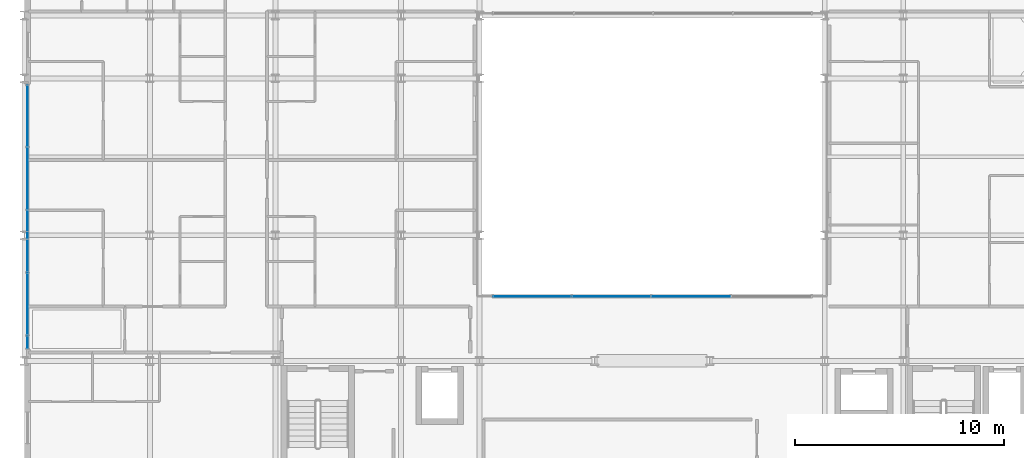
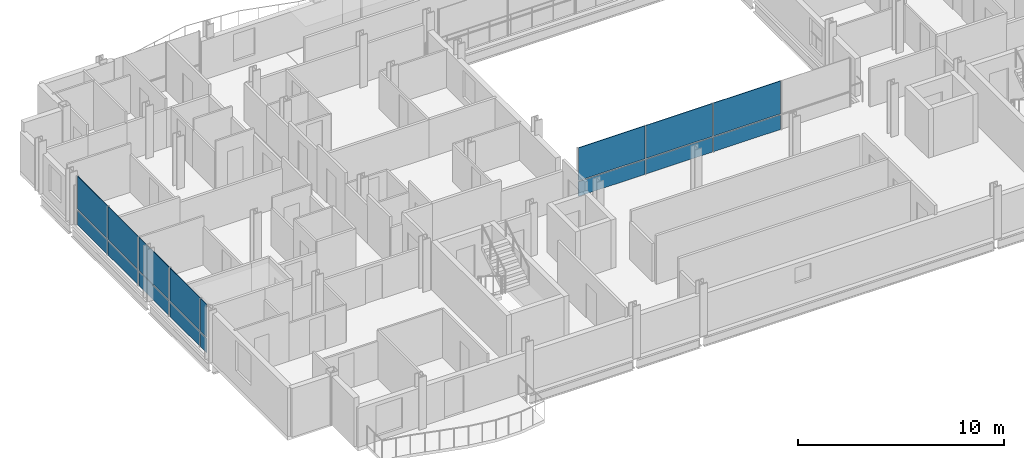
# One storey, part 26 of 41: 16 plates, 2 elements without a shape of their own.
"""IFC4 building model written with IfcOpenShell, lengths in metres."""

from ifc_helpers import new_model, si_unit, direction, frame, origin, origin_2d, place, context, subcontext, project, spatial, rectangle, extrude, material, layer, layer_set, type_object, element, aggregate, save


model = new_model("IFC4")

# Units and contexts
model_context = context("Model", 3, precision=1e-05, world=origin(), true_north=direction((0.0, 1.0)))
body_context = subcontext(model_context, "Body", "Model", "MODEL_VIEW")
ifc_project = project(units=[si_unit("LENGTHUNIT", "METRE"), si_unit("AREAUNIT", "SQUARE_METRE"), si_unit("VOLUMEUNIT", "CUBIC_METRE"), si_unit("PLANEANGLEUNIT", "RADIAN"), si_unit("MASSUNIT", "GRAM", prefix="KILO")], contexts=[model_context])

# Site, building, storey
site_placement = place(None, origin())
site = spatial("IfcSite", under=ifc_project, at=site_placement, CompositionType="ELEMENT")
building_placement = place(site_placement, origin())
building = spatial("IfcBuilding", under=site, at=building_placement, Name="Brevholm Reach", CompositionType="ELEMENT")
storey_placement = place(building_placement, frame((0.0, 0.0, 112.800048828125)))
storey = spatial("IfcBuildingStorey", under=building, at=storey_placement, Name="L33", CompositionType="ELEMENT", Elevation=112.800048828125)

# Curtain wall, plates
ifc_material_1 = material(Name="Dark Anodised Aluminium 6063-T6 and Solar-Control Glass", Category="aluminium")
ifc_layer_1 = layer(ifc_material_1, 0.14990234375)
ifc_layer_set_1 = layer_set([ifc_layer_1], Name="Dark Anodised Aluminium 6063-T6 and Solar-Control Glass")
curtain_wall_type_1 = type_object("IfcCurtainWallType", Name="CW-01", PredefinedType="NOTDEFINED", material=ifc_layer_set_1)
curtain_wall_1_placement = place(storey_placement, origin())
curtain_wall_1 = element("IfcCurtainWall", 1, at=curtain_wall_1_placement, inside=storey, type_object=curtain_wall_type_1, Name="L33 Curtain Wall CW-01", PredefinedType="NOTDEFINED")
ifc_material_2 = material(Name="Dark Solar-Control Double-Glazed IGU Glass", Category="glass")
ifc_layer_2 = layer(ifc_material_2, 0.028076171875)
ifc_layer_set_2 = layer_set([ifc_layer_2], Name="Dark Solar-Control Double-Glazed IGU Glass")
plate_type_1 = type_object("IfcPlateType", Name="CWP-GLZ-28", PredefinedType="CURTAIN_PANEL", material=ifc_layer_set_2)
plate_1_placement = place(storey_placement, frame((0.14990234375, 21.703857421875, 0.0), z_axis=(0.0, 0.0, 1.0), x_axis=(0.0, -1.0, 0.0)))
plate_1 = element("IfcPlate", 2, at=plate_1_placement, type_object=plate_type_1, Name="CP-01 Glazing Panel 1.1", PredefinedType="CURTAIN_PANEL", context=body_context, shape_type="SweptSolid", body=[
    extrude(rectangle(XDim=2.902587890625, YDim=0.028076171875, at=origin_2d()), origin(), (0.0, 0.0, 1.0), 0.867431640625),
])
plate_2_placement = place(storey_placement, frame((0.14990234375, 21.703857421875, 0.9326171875), z_axis=(0.0, 0.0, 1.0), x_axis=(0.0, -1.0, 0.0)))
plate_2 = element("IfcPlate", 3, at=plate_2_placement, type_object=plate_type_1, Name="CP-01 Glazing Panel 1.2", PredefinedType="CURTAIN_PANEL", context=body_context, shape_type="SweptSolid", body=[
    extrude(rectangle(XDim=2.902587890625, YDim=0.028076171875, at=origin_2d()), origin(), (0.0, 0.0, 1.0), 1.947509765625),
])
plate_3_placement = place(storey_placement, frame((0.14990234375, 18.719970703125, 0.0), z_axis=(0.0, 0.0, 1.0), x_axis=(0.0, -1.0, 0.0)))
plate_3 = element("IfcPlate", 4, at=plate_3_placement, type_object=plate_type_1, Name="CP-01 Glazing Panel 2.1", PredefinedType="CURTAIN_PANEL", context=body_context, shape_type="SweptSolid", body=[
    extrude(rectangle(XDim=2.93505859375, YDim=0.028076171875, at=origin_2d()), origin(), (0.0, 0.0, 1.0), 0.867431640625),
])
plate_4_placement = place(storey_placement, frame((0.14990234375, 18.719970703125, 0.9326171875), z_axis=(0.0, 0.0, 1.0), x_axis=(0.0, -1.0, 0.0)))
plate_4 = element("IfcPlate", 5, at=plate_4_placement, type_object=plate_type_1, Name="CP-01 Glazing Panel 2.2", PredefinedType="CURTAIN_PANEL", context=body_context, shape_type="SweptSolid", body=[
    extrude(rectangle(XDim=2.93505859375, YDim=0.028076171875, at=origin_2d()), origin(), (0.0, 0.0, 1.0), 1.947509765625),
])
plate_5_placement = place(storey_placement, frame((0.14990234375, 15.719970703125, 0.0), z_axis=(0.0, 0.0, 1.0), x_axis=(0.0, -1.0, 0.0)))
plate_5 = element("IfcPlate", 6, at=plate_5_placement, type_object=plate_type_1, Name="CP-01 Glazing Panel 3.1", PredefinedType="CURTAIN_PANEL", context=body_context, shape_type="SweptSolid", body=[
    extrude(rectangle(XDim=2.93505859375, YDim=0.028076171875, at=origin_2d()), origin(), (0.0, 0.0, 1.0), 0.867431640625),
])
plate_6_placement = place(storey_placement, frame((0.14990234375, 15.719970703125, 0.9326171875), z_axis=(0.0, 0.0, 1.0), x_axis=(0.0, -1.0, 0.0)))
plate_6 = element("IfcPlate", 7, at=plate_6_placement, type_object=plate_type_1, Name="CP-01 Glazing Panel 3.2", PredefinedType="CURTAIN_PANEL", context=body_context, shape_type="SweptSolid", body=[
    extrude(rectangle(XDim=2.93505859375, YDim=0.028076171875, at=origin_2d()), origin(), (0.0, 0.0, 1.0), 1.947509765625),
])
plate_7_placement = place(storey_placement, frame((0.14990234375, 12.719970703125, 0.0), z_axis=(0.0, 0.0, 1.0), x_axis=(0.0, -1.0, 0.0)))
plate_7 = element("IfcPlate", 8, at=plate_7_placement, type_object=plate_type_1, Name="CP-01 Glazing Panel 4.1", PredefinedType="CURTAIN_PANEL", context=body_context, shape_type="SweptSolid", body=[
    extrude(rectangle(XDim=2.93505859375, YDim=0.028076171875, at=origin_2d()), origin(), (0.0, 0.0, 1.0), 0.867431640625),
])
plate_8_placement = place(storey_placement, frame((0.14990234375, 12.719970703125, 0.9326171875), z_axis=(0.0, 0.0, 1.0), x_axis=(0.0, -1.0, 0.0)))
plate_8 = element("IfcPlate", 9, at=plate_8_placement, type_object=plate_type_1, Name="CP-01 Glazing Panel 4.2", PredefinedType="CURTAIN_PANEL", context=body_context, shape_type="SweptSolid", body=[
    extrude(rectangle(XDim=2.93505859375, YDim=0.028076171875, at=origin_2d()), origin(), (0.0, 0.0, 1.0), 1.947509765625),
])
plate_9_placement = place(storey_placement, frame((0.14990234375, 10.9013671875, 0.0), z_axis=(0.0, 0.0, 1.0), x_axis=(0.0, -1.0, 0.0)))
plate_9 = element("IfcPlate", 10, at=plate_9_placement, type_object=plate_type_1, Name="CP-01 Glazing Panel 5.1", PredefinedType="CURTAIN_PANEL", context=body_context, shape_type="SweptSolid", body=[
    extrude(rectangle(XDim=0.572509765625, YDim=0.028076171875, at=origin_2d()), origin(), (0.0, 0.0, 1.0), 0.867431640625),
])
plate_10_placement = place(storey_placement, frame((0.14990234375, 10.9013671875, 0.9326171875), z_axis=(0.0, 0.0, 1.0), x_axis=(0.0, -1.0, 0.0)))
plate_10 = element("IfcPlate", 11, at=plate_10_placement, type_object=plate_type_1, Name="CP-01 Glazing Panel 5.2", PredefinedType="CURTAIN_PANEL", context=body_context, shape_type="SweptSolid", body=[
    extrude(rectangle(XDim=0.572509765625, YDim=0.028076171875, at=origin_2d()), origin(), (0.0, 0.0, 1.0), 1.947509765625),
])
aggregate(curtain_wall_1, [plate_1, plate_2, plate_3, plate_4, plate_5, plate_6, plate_7, plate_8, plate_9, plate_10])

ifc_material_3 = material(Name="Dark Anodised Aluminium 6063-T6 and Solar-Control Glass", Category="aluminium")
ifc_layer_3 = layer(ifc_material_3, 0.139892578125)
ifc_layer_set_3 = layer_set([ifc_layer_3], Name="Dark Anodised Aluminium 6063-T6 and Solar-Control Glass")
curtain_wall_type_2 = type_object("IfcCurtainWallType", Name="CW-02", PredefinedType="NOTDEFINED", material=ifc_layer_set_3)
curtain_wall_2_placement = place(storey_placement, origin())
curtain_wall_2 = element("IfcCurtainWall", 12, at=curtain_wall_2_placement, inside=storey, type_object=curtain_wall_type_2, Name="L33 Curtain Wall CW-02", PredefinedType="NOTDEFINED")
ifc_material_4 = material(Name="Low-Iron Laminated Acoustic Glass", Category="glass")
ifc_layer_4 = layer(ifc_material_4, 0.035888671875)
ifc_layer_set_4 = layer_set([ifc_layer_4], Name="Low-Iron Laminated Acoustic Glass")
plate_type_2 = type_object("IfcPlateType", Name="CWP-GLZ-36", PredefinedType="CURTAIN_PANEL", material=ifc_layer_set_4)
plate_11_placement = place(storey_placement, frame((24.264892578125, 13.080078125, 0.0), z_axis=(0.0, 0.0, 1.0), x_axis=(1.0, 0.0, 0.0)))
plate_11 = element("IfcPlate", 13, at=plate_11_placement, type_object=plate_type_2, Name="CP-02 Glazing Panel 1.1", PredefinedType="CURTAIN_PANEL", context=body_context, shape_type="SweptSolid", body=[
    extrude(rectangle(XDim=3.7099609375, YDim=0.035888671875, at=origin_2d()), origin(), (0.0, 0.0, 1.0), 0.8701171875),
])
plate_12_placement = place(storey_placement, frame((24.264892578125, 13.080078125, 0.93017578125), z_axis=(0.0, 0.0, 1.0), x_axis=(1.0, 0.0, 0.0)))
plate_12 = element("IfcPlate", 14, at=plate_12_placement, type_object=plate_type_2, Name="CP-02 Glazing Panel 1.2", PredefinedType="CURTAIN_PANEL", context=body_context, shape_type="SweptSolid", body=[
    extrude(rectangle(XDim=3.7099609375, YDim=0.035888671875, at=origin_2d()), origin(), (0.0, 0.0, 1.0), 1.949951171875),
])
plate_13_placement = place(storey_placement, frame((28.050048828125, 13.080078125, 0.0), z_axis=(0.0, 0.0, 1.0), x_axis=(1.0, 0.0, 0.0)))
plate_13 = element("IfcPlate", 15, at=plate_13_placement, type_object=plate_type_2, Name="CP-02 Glazing Panel 2.1", PredefinedType="CURTAIN_PANEL", context=body_context, shape_type="SweptSolid", body=[
    extrude(rectangle(XDim=3.739990234375, YDim=0.035888671875, at=origin_2d()), origin(), (0.0, 0.0, 1.0), 0.8701171875),
])
plate_14_placement = place(storey_placement, frame((28.050048828125, 13.080078125, 0.93017578125), z_axis=(0.0, 0.0, 1.0), x_axis=(1.0, 0.0, 0.0)))
plate_14 = element("IfcPlate", 16, at=plate_14_placement, type_object=plate_type_2, Name="CP-02 Glazing Panel 2.2", PredefinedType="CURTAIN_PANEL", context=body_context, shape_type="SweptSolid", body=[
    extrude(rectangle(XDim=3.739990234375, YDim=0.035888671875, at=origin_2d()), origin(), (0.0, 0.0, 1.0), 1.949951171875),
])
plate_15_placement = place(storey_placement, frame((31.85009765625, 13.080078125, 0.0), z_axis=(0.0, 0.0, 1.0), x_axis=(1.0, 0.0, 0.0)))
plate_15 = element("IfcPlate", 17, at=plate_15_placement, type_object=plate_type_2, Name="CP-02 Glazing Panel 3.1", PredefinedType="CURTAIN_PANEL", context=body_context, shape_type="SweptSolid", body=[
    extrude(rectangle(XDim=3.739990234375, YDim=0.035888671875, at=origin_2d()), origin(), (0.0, 0.0, 1.0), 0.8701171875),
])
plate_16_placement = place(storey_placement, frame((31.85009765625, 13.080078125, 0.93017578125), z_axis=(0.0, 0.0, 1.0), x_axis=(1.0, 0.0, 0.0)))
plate_16 = element("IfcPlate", 18, at=plate_16_placement, type_object=plate_type_2, Name="CP-02 Glazing Panel 3.2", PredefinedType="CURTAIN_PANEL", context=body_context, shape_type="SweptSolid", body=[
    extrude(rectangle(XDim=3.739990234375, YDim=0.035888671875, at=origin_2d()), origin(), (0.0, 0.0, 1.0), 1.949951171875),
])
aggregate(curtain_wall_2, [plate_11, plate_12, plate_13, plate_14, plate_15, plate_16])

save(model, "model.ifc")
